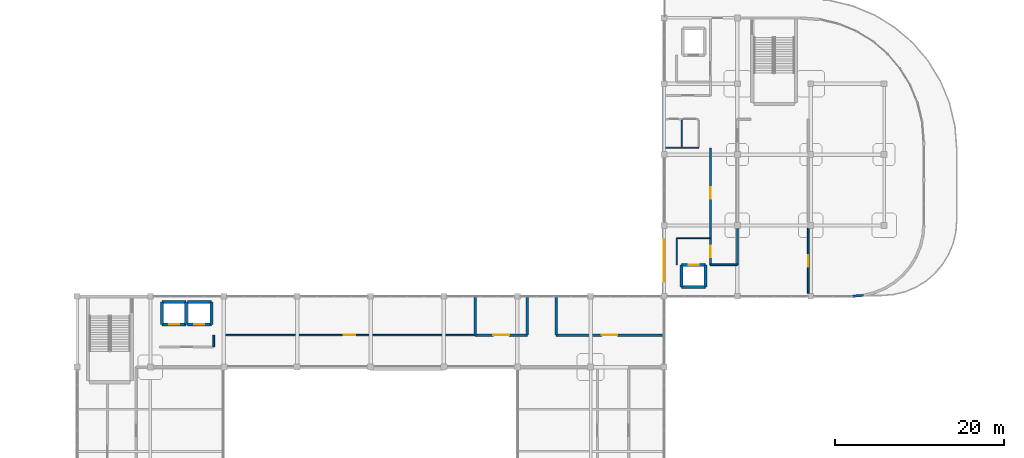
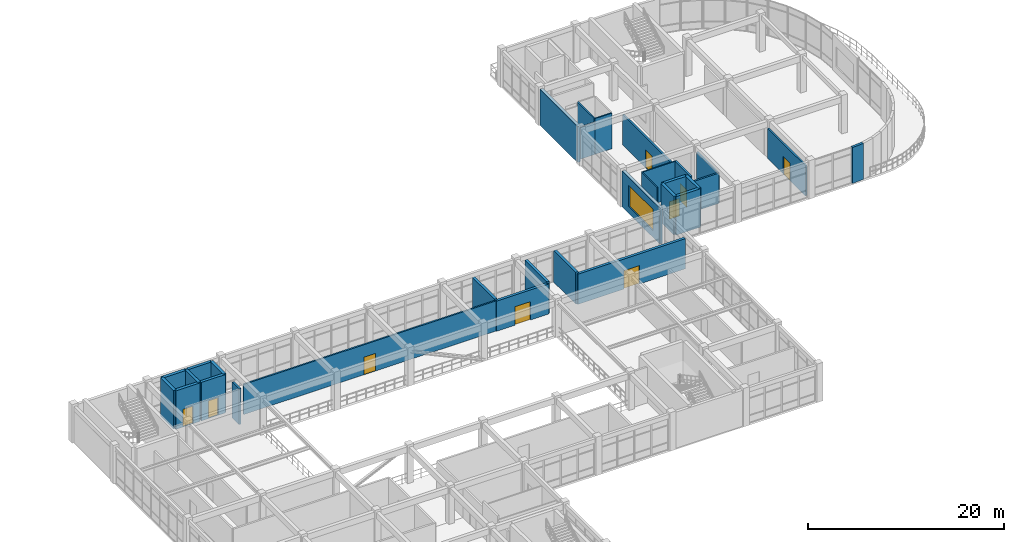
# One storey, part 63 of 76: 31 walls, 9 doors, 1 window, 10 openings.
"""IFC4 building model written with IfcOpenShell, lengths in metres."""

from ifc_helpers import new_model, si_unit, derived_unit, direction, frame, frame_2d, origin, place, context, subcontext, project, spatial, rectangle, extrude, material, layer, layer_set, type_object, element, fill, save


model = new_model("IFC4")

# Units and contexts
model_context = context("Model", 3, precision=1e-05, world=origin(), true_north=direction((0.0, 1.0)))
body_context = subcontext(model_context, "Body", "Model", "MODEL_VIEW")
ifc_project = project(units=[si_unit("LENGTHUNIT", "METRE"), si_unit("AREAUNIT", "SQUARE_METRE"), si_unit("VOLUMEUNIT", "CUBIC_METRE"), si_unit("PLANEANGLEUNIT", "RADIAN"), si_unit("MASSUNIT", "GRAM", prefix="KILO"), derived_unit("THERMALTRANSMITTANCEUNIT", [(si_unit("MASSUNIT", "GRAM", prefix="KILO"), 1), (si_unit("TIMEUNIT", "SECOND"), -3), (si_unit("THERMODYNAMICTEMPERATUREUNIT", "KELVIN"), -1)])], contexts=[model_context])

# Site, building, storey
site_placement = place(None, origin())
site = spatial("IfcSite", under=ifc_project, at=site_placement, CompositionType="ELEMENT")
building_placement = place(site_placement, origin())
building = spatial("IfcBuilding", under=site, at=building_placement, Name="Qinzheling Arcade Emporium", CompositionType="ELEMENT")
storey_placement = place(building_placement, frame((0.0, 0.0, 26.699951171875)))
storey = spatial("IfcBuildingStorey", under=building, at=storey_placement, Name="L06", CompositionType="ELEMENT", Elevation=26.699951171875)

# Wall
ifc_material_1 = material(Name="Double-stud acoustic gypsum board partition")
ifc_layer_1 = layer(ifc_material_1, 0.215087890625, Name="Double-stud acoustic gypsum board partition")
ifc_layer_set_1 = layer_set([ifc_layer_1], Name="Double-stud acoustic gypsum board partition")
wall_type_1 = type_object("IfcWallType", Name="Acoustic Corridor Partition Wall 215", PredefinedType="PARTITIONING", material=ifc_layer_set_1)
wall_1_placement = place(storey_placement, frame((51.0, 69.199951171875, 0.0), z_axis=(0.0, 0.0, 1.0), x_axis=(0.0, -1.0, 0.0)))
element("IfcWall", 1, at=wall_1_placement, inside=storey, type_object=wall_type_1, Name="Interior Wall WL-L06-INT-0799", PredefinedType="PARTITIONING", context=body_context, shape_type="SweptSolid", body=[
    extrude(rectangle(XDim=1.39990234375, YDim=0.215087890625, at=frame_2d((0.699951171875, 0.0))), origin(), (0.0, 0.0, 1.0), 4.4599609375),
])

# Wall, opening, door
wall_2_placement = place(storey_placement, frame((109.89990234375, 80.699951171875, 0.0), z_axis=(0.0, 0.0, 1.0), x_axis=(0.0, -1.0, 0.0)))
wall_2 = element("IfcWall", 2, at=wall_2_placement, inside=storey, type_object=wall_type_1, Name="Interior Wall WL-L06-INT-0801", PredefinedType="PARTITIONING", context=body_context, shape_type="SweptSolid", body=[
    extrude(rectangle(XDim=3.169921875, YDim=0.215087890625, at=frame_2d((1.5849609375, 0.0))), origin(), (0.0, 0.0, 1.0), 4.4599609375),
])
opening_1_placement = place(wall_2_placement, frame((0.909912109375, 0.0, 0.0)))
opening_1 = element("IfcOpeningElement", 3, at=opening_1_placement, cuts=wall_2, Name="Opening FD05", PredefinedType="OPENING", context=body_context, shape_type="SweptSolid", body=[
    extrude(rectangle(XDim=1.35009765625, YDim=2.199951171875, at=frame_2d((0.675048828125, 1.10009765625))), frame((0.0, 0.11767578125, 0.0), z_axis=(0.0, -1.0, 0.0), x_axis=(1.0, 0.0, 0.0)), (0.0, 0.0, 1.0), 0.235107421875),
])
ifc_material_2 = material(Name="Class B fire-rated stainless-clad door")
door_type_1 = type_object("IfcDoorType", Name="Kitchen Fire-Rated Service Door 1350x2200", OperationType="NOTDEFINED", PredefinedType="DOOR", material=ifc_material_2)
door_1_placement = place(opening_1_placement, origin())
door_1 = element("IfcDoor", 4, at=door_1_placement, inside=storey, type_object=door_type_1, Name="FD05 Interior Door DR-L06-INT-0231", OperationType="SINGLE_SWING_LEFT", OverallHeight=2.199951171875, OverallWidth=1.35009765625, PredefinedType="DOOR", context=body_context, shape_type="SweptSolid", body=[
    extrude(rectangle(XDim=1.35009765625, YDim=2.199951171875, at=frame_2d((0.675048828125, 1.10009765625))), frame((0.0, 0.02490234375, 0.0), z_axis=(0.0, -1.0, 0.0), x_axis=(1.0, 0.0, 0.0)), (0.0, 0.0, 1.0), 0.050048828125),
])
fill(opening_1, door_1)

# Walls
wall_3_placement = place(storey_placement, frame((113.10009765625, 81.840087890625, 0.0), z_axis=(0.0, 0.0, 1.0), x_axis=(0.0, -1.0, 0.0)))
element("IfcWall", 5, at=wall_3_placement, inside=storey, type_object=wall_type_1, Name="Interior Wall WL-L06-INT-0822", PredefinedType="PARTITIONING", context=body_context, shape_type="SweptSolid", body=[
    extrude(rectangle(XDim=4.31005859375, YDim=0.215087890625, at=frame_2d((2.155029296875, 0.0))), origin(), (0.0, 0.0, 1.0), 3.775146484375),
])
wall_4_placement = place(storey_placement, frame((113.10009765625, 77.530029296875, 0.0), z_axis=(0.0, 0.0, 1.0), x_axis=(-1.0, 0.0, 0.0)))
element("IfcWall", 6, at=wall_4_placement, inside=storey, type_object=wall_type_1, Name="Interior Wall WL-L06-INT-0823", PredefinedType="PARTITIONING", context=body_context, shape_type="SweptSolid", body=[
    extrude(rectangle(XDim=3.2001953125, YDim=0.215087890625, at=frame_2d((1.60009765625, 0.0))), origin(), (0.0, 0.0, 1.0), 3.775146484375),
])

# Wall, opening, door
wall_5_placement = place(storey_placement, frame((109.89990234375, 80.699951171875, 0.0), z_axis=(0.0, 0.0, 1.0), x_axis=(0.0, 1.0, 0.0)))
wall_5 = element("IfcWall", 7, at=wall_5_placement, inside=storey, type_object=wall_type_1, Name="Interior Wall WL-L06-INT-0824", PredefinedType="PARTITIONING", context=body_context, shape_type="SweptSolid", body=[
    extrude(rectangle(XDim=10.699951171875, YDim=0.215087890625, at=frame_2d((5.35009765625, 0.0))), origin(), (0.0, 0.0, 1.0), 3.775146484375),
])
opening_2_placement = place(wall_5_placement, frame((4.675048828125, 0.0, 0.0)))
opening_2 = element("IfcOpeningElement", 8, at=opening_2_placement, cuts=wall_5, Name="Opening FD05", PredefinedType="OPENING", context=body_context, shape_type="SweptSolid", body=[
    extrude(rectangle(XDim=1.35009765625, YDim=2.199951171875, at=frame_2d((0.675048828125, 1.10009765625))), frame((0.0, 0.11767578125, 0.0), z_axis=(0.0, -1.0, 0.0), x_axis=(1.0, 0.0, 0.0)), (0.0, 0.0, 1.0), 0.235107421875),
])
door_2_placement = place(opening_2_placement, origin())
door_2 = element("IfcDoor", 9, at=door_2_placement, inside=storey, type_object=door_type_1, Name="FD05 Interior Door DR-L06-INT-0251", OperationType="SINGLE_SWING_LEFT", OverallHeight=2.199951171875, OverallWidth=1.35009765625, PredefinedType="DOOR", context=body_context, shape_type="SweptSolid", body=[
    extrude(rectangle(XDim=1.35009765625, YDim=2.199951171875, at=frame_2d((0.675048828125, 1.10009765625))), frame((0.0, 0.02490234375, 0.0), z_axis=(0.0, -1.0, 0.0), x_axis=(1.0, 0.0, 0.0)), (0.0, 0.0, 1.0), 0.050048828125),
])
fill(opening_2, door_2)

# Wall
ifc_material_3 = material(Name="Glazed-transom steel-stud office partition", Category="steel")
ifc_layer_2 = layer(ifc_material_3, 0.135009765625, Name="Glazed-transom steel-stud office partition", Category="steel")
ifc_layer_set_2 = layer_set([ifc_layer_2], Name="Glazed-transom steel-stud office partition")
wall_type_2 = type_object("IfcWallType", Name="Buying Office Acoustic Partition Wall 135", PredefinedType="PARTITIONING", material=ifc_layer_set_2)
wall_6_placement = place(storey_placement, frame((105.89990234375, 77.530029296875, 0.0), z_axis=(0.0, 0.0, 1.0), x_axis=(0.0, 1.0, 0.0)))
element("IfcWall", 10, at=wall_6_placement, inside=storey, type_object=wall_type_2, Name="Interior Wall WL-L06-INT-0802", PredefinedType="PARTITIONING", context=body_context, shape_type="SweptSolid", body=[
    extrude(rectangle(XDim=3.169921875, YDim=0.135009765625, at=frame_2d((1.5849609375, 0.0))), origin(), (0.0, 0.0, 1.0), 4.4599609375),
])

# Wall, opening, window
ifc_material_4 = material(Name="Fluted granite ashlar on Concrete C40", Category="masonry")
ifc_layer_3 = layer(ifc_material_4, 0.35009765625, Name="Fluted granite ashlar on Concrete C40", Category="masonry")
ifc_layer_set_3 = layer_set([ifc_layer_3], Name="Fluted granite ashlar on Concrete C40")
wall_type_3 = type_object("IfcWallType", Name="Fluted Granite Logistics Wall 350", PredefinedType="STANDARD", material=ifc_layer_set_3)
wall_7_placement = place(storey_placement, frame((104.39990234375, 74.152099609375, 0.0), z_axis=(0.0, 0.0, 1.0), x_axis=(0.0, 1.0, 0.0)))
wall_7 = element("IfcWall", 11, at=wall_7_placement, inside=storey, type_object=wall_type_3, Name="Exterior Wall WL-L06-EW-0313", PredefinedType="STANDARD", context=body_context, shape_type="SweptSolid", body=[
    extrude(rectangle(XDim=7.69580078125, YDim=0.35009765625, at=frame_2d((3.847900390625, 0.0))), origin(), (0.0, 0.0, 1.0), 4.489990234375),
])
opening_3_placement = place(wall_7_placement, frame((1.347900390625, 0.0, 0.85009765625)))
opening_3 = element("IfcOpeningElement", 12, at=opening_3_placement, cuts=wall_7, Name="Opening WN03", PredefinedType="OPENING", context=body_context, shape_type="SweptSolid", body=[
    extrude(rectangle(XDim=5.0, YDim=2.64990234375, at=frame_2d((2.5, 1.324951171875))), frame((0.0, 0.18505859375, 0.0), z_axis=(0.0, -1.0, 0.0), x_axis=(1.0, 0.0, 0.0)), (0.0, 0.0, 1.0), 0.3701171875),
])
ifc_material_5 = material(Name="Thermally broken aluminium frame with solar-control double glazing", Category="aluminium")
window_type = type_object("IfcWindowType", Name="Chicago Tripartite Window 5000x2650", PartitioningType="TRIPLE_PANEL_VERTICAL", PredefinedType="WINDOW", material=ifc_material_5)
window_placement = place(opening_3_placement, origin())
window = element("IfcWindow", 13, at=window_placement, inside=storey, type_object=window_type, Name="WN03 Window WN-L06-0079", OverallHeight=2.64990234375, OverallWidth=5.0, PartitioningType="TRIPLE_PANEL_VERTICAL", PredefinedType="WINDOW", context=body_context, shape_type="SweptSolid", body=[
    extrude(rectangle(XDim=5.0, YDim=2.64990234375, at=frame_2d((2.5, 1.324951171875))), frame((0.0, 0.030029296875, 0.0), z_axis=(0.0, -1.0, 0.0), x_axis=(1.0, 0.0, 0.0)), (0.0, 0.0, 1.0), 0.06005859375),
])
fill(opening_3, window)

# Wall
wall_8_placement = place(storey_placement, frame((104.39990234375, 90.951904296875, 0.0), z_axis=(0.0, 0.0, 1.0), x_axis=(0.0, 1.0, 0.0)))
element("IfcWall", 14, at=wall_8_placement, inside=storey, type_object=wall_type_3, Name="Exterior Wall WL-L06-EW-0314", PredefinedType="STANDARD", context=body_context, shape_type="SweptSolid", body=[
    extrude(rectangle(XDim=7.696044921875, YDim=0.35009765625, at=frame_2d((3.84814453125, 0.0))), origin(), (0.0, 0.0, 1.0), 4.489990234375),
])

# Wall, opening, door
ifc_material_6 = material(Name="Ceramic-tiled cement-board partition")
ifc_layer_4 = layer(ifc_material_6, 0.18505859375, Name="Ceramic-tiled cement-board partition")
ifc_layer_set_4 = layer_set([ifc_layer_4], Name="Ceramic-tiled cement-board partition")
wall_type_4 = type_object("IfcWallType", Name="Food Hall Kitchen Partition Wall 185", PredefinedType="PARTITIONING", material=ifc_layer_set_4)
wall_9_placement = place(storey_placement, frame((52.199951171875, 69.199951171875, 0.0), z_axis=(0.0, 0.0, 1.0), x_axis=(1.0, 0.0, 0.0)))
wall_9 = element("IfcWall", 15, at=wall_9_placement, inside=storey, type_object=wall_type_4, Name="Interior Wall WL-L06-INT-0854", PredefinedType="PARTITIONING", context=body_context, shape_type="SweptSolid", body=[
    extrude(rectangle(XDim=29.800048828125, YDim=0.18505859375, at=frame_2d((14.89990234375, 0.0))), origin(), (0.0, 0.0, 1.0), 3.760009765625),
])
opening_4_placement = place(wall_9_placement, frame((14.22509765625, 0.0, 0.0)))
opening_4 = element("IfcOpeningElement", 16, at=opening_4_placement, cuts=wall_9, Name="Opening FD05", PredefinedType="OPENING", context=body_context, shape_type="SweptSolid", body=[
    extrude(rectangle(XDim=1.35009765625, YDim=2.199951171875, at=frame_2d((0.675048828125, 1.10009765625))), frame((0.0, 0.1025390625, 0.0), z_axis=(0.0, -1.0, 0.0), x_axis=(1.0, 0.0, 0.0)), (0.0, 0.0, 1.0), 0.205078125),
])
door_3_placement = place(opening_4_placement, origin())
door_3 = element("IfcDoor", 17, at=door_3_placement, inside=storey, type_object=door_type_1, Name="FD05 Interior Door DR-L06-INT-0246", OperationType="SINGLE_SWING_RIGHT", OverallHeight=2.199951171875, OverallWidth=1.35009765625, PredefinedType="DOOR", context=body_context, shape_type="SweptSolid", body=[
    extrude(rectangle(XDim=1.35009765625, YDim=2.199951171875, at=frame_2d((0.675048828125, 1.10009765625))), frame((0.0, 0.02490234375, 0.0), z_axis=(0.0, -1.0, 0.0), x_axis=(1.0, 0.0, 0.0)), (0.0, 0.0, 1.0), 0.050048828125),
])
fill(opening_4, door_3)

wall_10_placement = place(storey_placement, frame((121.5, 81.840087890625, 0.0), z_axis=(0.0, 0.0, 1.0), x_axis=(0.0, -1.0, 0.0)))
wall_10 = element("IfcWall", 18, at=wall_10_placement, inside=storey, type_object=wall_type_4, Name="Interior Wall WL-L06-INT-0877", PredefinedType="PARTITIONING", context=body_context, shape_type="SweptSolid", body=[
    extrude(rectangle(XDim=7.68017578125, YDim=0.18505859375, at=frame_2d((3.840087890625, 0.0))), origin(), (0.0, 0.0, 1.0), 3.775146484375),
])
opening_5_placement = place(wall_10_placement, frame((3.1650390625, 0.0, 0.0)))
opening_5 = element("IfcOpeningElement", 19, at=opening_5_placement, cuts=wall_10, Name="Opening FD05", PredefinedType="OPENING", context=body_context, shape_type="SweptSolid", body=[
    extrude(rectangle(XDim=1.35009765625, YDim=2.199951171875, at=frame_2d((0.675048828125, 1.10009765625))), frame((0.0, 0.1025390625, 0.0), z_axis=(0.0, -1.0, 0.0), x_axis=(1.0, 0.0, 0.0)), (0.0, 0.0, 1.0), 0.205078125),
])
door_4_placement = place(opening_5_placement, origin())
door_4 = element("IfcDoor", 20, at=door_4_placement, inside=storey, type_object=door_type_1, Name="FD05 Interior Door DR-L06-INT-0252", OperationType="SINGLE_SWING_RIGHT", OverallHeight=2.199951171875, OverallWidth=1.35009765625, PredefinedType="DOOR", context=body_context, shape_type="SweptSolid", body=[
    extrude(rectangle(XDim=1.35009765625, YDim=2.199951171875, at=frame_2d((0.675048828125, 1.10009765625))), frame((0.0, 0.02490234375, 0.0), z_axis=(0.0, -1.0, 0.0), x_axis=(1.0, 0.0, 0.0)), (0.0, 0.0, 1.0), 0.050048828125),
])
fill(opening_5, door_4)

# Walls
ifc_material_7 = material(Name="Lightweight gypsum studio partition")
ifc_layer_5 = layer(ifc_material_7, 0.125, Name="Lightweight gypsum studio partition")
ifc_layer_set_5 = layer_set([ifc_layer_5], Name="Lightweight gypsum studio partition")
wall_type_5 = type_object("IfcWallType", Name="Merchandising Studio Partition Wall 125", PredefinedType="PARTITIONING", material=ifc_layer_set_5)
wall_11_placement = place(storey_placement, frame((105.89990234375, 80.699951171875, 0.0), z_axis=(0.0, 0.0, 1.0), x_axis=(1.0, 0.0, 0.0)))
element("IfcWall", 21, at=wall_11_placement, inside=storey, type_object=wall_type_5, Name="Interior Wall WL-L06-INT-0803", PredefinedType="PARTITIONING", context=body_context, shape_type="SweptSolid", body=[
    extrude(rectangle(XDim=4.0, YDim=0.125, at=frame_2d((2.0, 0.0))), origin(), (0.0, 0.0, 1.0), 4.4599609375),
])
ifc_material_8 = material(Name="Buff glazed terracotta insulated wall", Category="masonry")
ifc_layer_6 = layer(ifc_material_8, 0.2900390625, Name="Buff glazed terracotta insulated wall", Category="masonry")
ifc_layer_set_6 = layer_set([ifc_layer_6], Name="Buff glazed terracotta insulated wall")
wall_type_6 = type_object("IfcWallType", Name="Office Bar Terracotta Wall 290", PredefinedType="STANDARD", material=ifc_layer_set_6)
wall_12_placement = place(storey_placement, frame((128.030029296875, 73.905029296875, 0.0), z_axis=(0.0, 0.0, 1.0), x_axis=(-0.996899659698, -0.078683343185, 0.0)))
element("IfcWall", 22, at=wall_12_placement, inside=storey, type_object=wall_type_6, Name="Exterior Wall WL-L06-EW-0328", PredefinedType="STANDARD", context=body_context, shape_type="SweptSolid", body=[
    extrude(rectangle(XDim=1.334228515625, YDim=0.2900390625, at=frame_2d((0.6669921875, 0.0))), origin(), (0.0, 0.0, 1.0), 4.489990234375),
])
ifc_material_9 = material(Name="Moisture-resistant shaftliner gypsum board")
ifc_layer_7 = layer(ifc_material_9, 0.155029296875, Name="Moisture-resistant shaftliner gypsum board")
ifc_layer_set_7 = layer_set([ifc_layer_7], Name="Moisture-resistant shaftliner gypsum board")
wall_type_7 = type_object("IfcWallType", Name="Plumbing and Service Riser Wall 155", PredefinedType="MOVABLE", material=ifc_layer_set_7)
wall_13_placement = place(storey_placement, frame((106.5, 94.800048828125, 0.0), z_axis=(0.0, 0.0, 1.0), x_axis=(0.0, -1.0, 0.0)))
element("IfcWall", 23, at=wall_13_placement, inside=storey, type_object=wall_type_7, Name="Interior Wall WL-L06-INT-0814", PredefinedType="MOVABLE", context=body_context, shape_type="SweptSolid", body=[
    extrude(rectangle(XDim=3.400146484375, YDim=0.155029296875, at=frame_2d((1.7001953125, 0.0))), origin(), (0.0, 0.0, 1.0), 4.4599609375),
])
ifc_material_10 = material(Name="Concrete C40", Category="concrete")
ifc_layer_8 = layer(ifc_material_10, 0.35009765625, Name="Concrete C40", Category="concrete")
ifc_layer_set_8 = layer_set([ifc_layer_8], Name="Concrete C40")
wall_type_8 = type_object("IfcWallType", Name="RC Lift Shaft Shear Wall 350 C40", PredefinedType="SHEAR", material=ifc_layer_set_8)
wall_14_placement = place(storey_placement, frame((44.875, 73.125, 0.0), z_axis=(0.0, 0.0, 1.0), x_axis=(1.0, 0.0, 0.0)))
element("IfcWall", 24, at=wall_14_placement, inside=storey, type_object=wall_type_8, Name="Lift Shaft Wall WL-L06-LFT-LP03-N", PredefinedType="SHEAR", context=body_context, shape_type="SweptSolid", body=[
    extrude(rectangle(XDim=2.85009765625, YDim=0.35009765625, at=frame_2d((1.425048828125, 0.0))), origin(), (0.0, 0.0, 1.0), 4.800048828125),
])

# Wall, opening, door
wall_15_placement = place(storey_placement, frame((47.72509765625, 70.47509765625, 0.0), z_axis=(0.0, 0.0, 1.0), x_axis=(-1.0, 0.0, 0.0)))
wall_15 = element("IfcWall", 25, at=wall_15_placement, inside=storey, type_object=wall_type_8, Name="Lift Shaft Wall WL-L06-LFT-LP03-S", PredefinedType="SHEAR", context=body_context, shape_type="SweptSolid", body=[
    extrude(rectangle(XDim=2.85009765625, YDim=0.35009765625, at=frame_2d((1.425048828125, 0.0))), origin(), (0.0, 0.0, 1.0), 4.800048828125),
])
opening_6_placement = place(wall_15_placement, frame((0.824951171875, 0.0, 0.0)))
opening_6 = element("IfcOpeningElement", 26, at=opening_6_placement, cuts=wall_15, Name="Opening LD02", PredefinedType="OPENING", context=body_context, shape_type="SweptSolid", body=[
    extrude(rectangle(XDim=1.199951171875, YDim=2.199951171875, at=frame_2d((0.60009765625, 1.10009765625))), frame((0.0, 0.18505859375, 0.0), z_axis=(0.0, -1.0, 0.0), x_axis=(1.0, 0.0, 0.0)), (0.0, 0.0, 1.0), 0.3701171875),
])
ifc_material_11 = material(Name="Brushed bronze stainless sliding lift door")
door_type_2 = type_object("IfcDoorType", Name="Passenger Lift Sliding Landing Door 1200x2200", OperationType="DOUBLE_DOOR_SLIDING", PredefinedType="DOOR", material=ifc_material_11)
door_5_placement = place(opening_6_placement, origin())
door_5 = element("IfcDoor", 27, at=door_5_placement, inside=storey, type_object=door_type_2, Name="LD02 Lift Landing Door LP03 L06", OperationType="DOUBLE_DOOR_SLIDING", OverallHeight=2.199951171875, OverallWidth=1.199951171875, PredefinedType="DOOR", context=body_context, shape_type="SweptSolid", body=[
    extrude(rectangle(XDim=1.199951171875, YDim=2.199951171875, at=frame_2d((0.60009765625, 1.10009765625))), frame((0.0, 0.02490234375, 0.0), z_axis=(0.0, -1.0, 0.0), x_axis=(1.0, 0.0, 0.0)), (0.0, 0.0, 1.0), 0.050048828125),
])
fill(opening_6, door_5)

# Walls
for number, where, z_axis, x_axis, name in (
    (28, (44.875, 70.47509765625, 0.0), (0.0, 0.0, 1.0), (0.0, 1.0, 0.0), "Lift Shaft Wall WL-L06-LFT-LP03-W"),
    (29, (47.72509765625, 73.125, 0.0), (0.0, 0.0, 1.0), (0.0, -1.0, 0.0), "Lift Shaft Wall WL-L06-LFT-LP03-E"),
):
    element("IfcWall", number, at=place(storey_placement, frame(where, z_axis=z_axis, x_axis=x_axis)), inside=storey, type_object=wall_type_8, Name=name, PredefinedType="SHEAR", context=body_context, shape_type="SweptSolid", body=[
        extrude(rectangle(XDim=2.64990234375, YDim=0.35009765625, at=frame_2d((1.324951171875, 0.0))), origin(), (0.0, 0.0, 1.0), 4.800048828125),
    ])
wall_16_placement = place(storey_placement, frame((47.875, 73.125, 0.0), z_axis=(0.0, 0.0, 1.0), x_axis=(1.0, 0.0, 0.0)))
element("IfcWall", 30, at=wall_16_placement, inside=storey, type_object=wall_type_8, Name="Lift Shaft Wall WL-L06-LFT-LP04-N", PredefinedType="SHEAR", context=body_context, shape_type="SweptSolid", body=[
    extrude(rectangle(XDim=2.85009765625, YDim=0.35009765625, at=frame_2d((1.425048828125, 0.0))), origin(), (0.0, 0.0, 1.0), 4.800048828125),
])

# Wall, opening, door
wall_17_placement = place(storey_placement, frame((50.72509765625, 70.47509765625, 0.0), z_axis=(0.0, 0.0, 1.0), x_axis=(-1.0, 0.0, 0.0)))
wall_17 = element("IfcWall", 31, at=wall_17_placement, inside=storey, type_object=wall_type_8, Name="Lift Shaft Wall WL-L06-LFT-LP04-S", PredefinedType="SHEAR", context=body_context, shape_type="SweptSolid", body=[
    extrude(rectangle(XDim=2.85009765625, YDim=0.35009765625, at=frame_2d((1.425048828125, 0.0))), origin(), (0.0, 0.0, 1.0), 4.800048828125),
])
opening_7_placement = place(wall_17_placement, frame((0.824951171875, 0.0, 0.0)))
opening_7 = element("IfcOpeningElement", 32, at=opening_7_placement, cuts=wall_17, Name="Opening LD02", PredefinedType="OPENING", context=body_context, shape_type="SweptSolid", body=[
    extrude(rectangle(XDim=1.199951171875, YDim=2.199951171875, at=frame_2d((0.60009765625, 1.10009765625))), frame((0.0, 0.18505859375, 0.0), z_axis=(0.0, -1.0, 0.0), x_axis=(1.0, 0.0, 0.0)), (0.0, 0.0, 1.0), 0.3701171875),
])
door_6_placement = place(opening_7_placement, origin())
door_6 = element("IfcDoor", 33, at=door_6_placement, inside=storey, type_object=door_type_2, Name="LD02 Lift Landing Door LP04 L06", OperationType="DOUBLE_DOOR_SLIDING", OverallHeight=2.199951171875, OverallWidth=1.199951171875, PredefinedType="DOOR", context=body_context, shape_type="SweptSolid", body=[
    extrude(rectangle(XDim=1.199951171875, YDim=2.199951171875, at=frame_2d((0.60009765625, 1.10009765625))), frame((0.0, 0.02490234375, 0.0), z_axis=(0.0, -1.0, 0.0), x_axis=(1.0, 0.0, 0.0)), (0.0, 0.0, 1.0), 0.050048828125),
])
fill(opening_7, door_6)

# Wall
wall_18_placement = place(storey_placement, frame((50.72509765625, 73.125, 0.0), z_axis=(0.0, 0.0, 1.0), x_axis=(0.0, -1.0, 0.0)))
element("IfcWall", 34, at=wall_18_placement, inside=storey, type_object=wall_type_8, Name="Lift Shaft Wall WL-L06-LFT-LP04-E", PredefinedType="SHEAR", context=body_context, shape_type="SweptSolid", body=[
    extrude(rectangle(XDim=2.64990234375, YDim=0.35009765625, at=frame_2d((1.324951171875, 0.0))), origin(), (0.0, 0.0, 1.0), 4.800048828125),
])

# Wall, opening, door
wall_19_placement = place(storey_placement, frame((106.47509765625, 77.52490234375, 0.0), z_axis=(0.0, 0.0, 1.0), x_axis=(1.0, 0.0, 0.0)))
wall_19 = element("IfcWall", 35, at=wall_19_placement, inside=storey, type_object=wall_type_8, Name="Lift Shaft Wall WL-L06-LFT-LP06-N", PredefinedType="SHEAR", context=body_context, shape_type="SweptSolid", body=[
    extrude(rectangle(XDim=2.849853515625, YDim=0.35009765625, at=frame_2d((1.4248046875, 0.0))), origin(), (0.0, 0.0, 1.0), 4.800048828125),
])
opening_8_placement = place(wall_19_placement, frame((0.824951171875, 0.0, 0.0)))
opening_8 = element("IfcOpeningElement", 36, at=opening_8_placement, cuts=wall_19, Name="Opening LD02", PredefinedType="OPENING", context=body_context, shape_type="SweptSolid", body=[
    extrude(rectangle(XDim=1.199951171875, YDim=2.199951171875, at=frame_2d((0.60009765625, 1.10009765625))), frame((0.0, 0.18505859375, 0.0), z_axis=(0.0, -1.0, 0.0), x_axis=(1.0, 0.0, 0.0)), (0.0, 0.0, 1.0), 0.3701171875),
])
door_7_placement = place(opening_8_placement, origin())
door_7 = element("IfcDoor", 37, at=door_7_placement, inside=storey, type_object=door_type_2, Name="LD02 Lift Landing Door LP06 L06", OperationType="DOUBLE_DOOR_SLIDING", OverallHeight=2.199951171875, OverallWidth=1.199951171875, PredefinedType="DOOR", context=body_context, shape_type="SweptSolid", body=[
    extrude(rectangle(XDim=1.199951171875, YDim=2.199951171875, at=frame_2d((0.60009765625, 1.10009765625))), frame((0.0, 0.02490234375, 0.0), z_axis=(0.0, -1.0, 0.0), x_axis=(1.0, 0.0, 0.0)), (0.0, 0.0, 1.0), 0.050048828125),
])
fill(opening_8, door_7)

# Walls
wall_20_placement = place(storey_placement, frame((109.324951171875, 74.875, 0.0), z_axis=(0.0, 0.0, 1.0), x_axis=(-1.0, 0.0, 0.0)))
element("IfcWall", 38, at=wall_20_placement, inside=storey, type_object=wall_type_8, Name="Lift Shaft Wall WL-L06-LFT-LP06-S", PredefinedType="SHEAR", context=body_context, shape_type="SweptSolid", body=[
    extrude(rectangle(XDim=2.849853515625, YDim=0.35009765625, at=frame_2d((1.4248046875, 0.0))), origin(), (0.0, 0.0, 1.0), 4.800048828125),
])
for number, where, z_axis, x_axis, name in (
    (39, (106.47509765625, 74.875, 0.0), (0.0, 0.0, 1.0), (0.0, 1.0, 0.0), "Lift Shaft Wall WL-L06-LFT-LP06-W"),
    (40, (109.324951171875, 77.52490234375, 0.0), (0.0, 0.0, 1.0), (0.0, -1.0, 0.0), "Lift Shaft Wall WL-L06-LFT-LP06-E"),
):
    element("IfcWall", number, at=place(storey_placement, frame(where, z_axis=z_axis, x_axis=x_axis)), inside=storey, type_object=wall_type_8, Name=name, PredefinedType="SHEAR", context=body_context, shape_type="SweptSolid", body=[
        extrude(rectangle(XDim=2.64990234375, YDim=0.35009765625, at=frame_2d((1.324951171875, 0.0))), origin(), (0.0, 0.0, 1.0), 4.800048828125),
    ])
ifc_material_12 = material(Name="Autoclaved aerated concrete masonry with fire plaster", Category="masonry")
ifc_layer_9 = layer(ifc_material_12, 0.31005859375, Name="Autoclaved aerated concrete masonry with fire plaster", Category="masonry")
ifc_layer_set_9 = layer_set([ifc_layer_9], Name="Autoclaved aerated concrete masonry with fire plaster")
wall_type_9 = type_object("IfcWallType", Name="Retail Compartment Fire Wall 310 C40", PredefinedType="STANDARD", material=ifc_layer_set_9)
wall_21_placement = place(storey_placement, frame((91.60009765625, 73.699951171875, 0.0), z_axis=(0.0, 0.0, 1.0), x_axis=(0.0, -1.0, 0.0)))
element("IfcWall", 41, at=wall_21_placement, inside=storey, type_object=wall_type_9, Name="Interior Wall WL-L06-INT-0855", PredefinedType="STANDARD", context=body_context, shape_type="SweptSolid", body=[
    extrude(rectangle(XDim=4.5, YDim=0.31005859375, at=frame_2d((2.25, 0.0))), origin(), (0.0, 0.0, 1.0), 3.9599609375),
])

# Wall, opening, door
wall_22_placement = place(storey_placement, frame((91.60009765625, 69.199951171875, 0.0), z_axis=(0.0, 0.0, 1.0), x_axis=(1.0, 0.0, 0.0)))
wall_22 = element("IfcWall", 42, at=wall_22_placement, inside=storey, type_object=wall_type_9, Name="Interior Wall WL-L06-INT-0856", PredefinedType="STANDARD", context=body_context, shape_type="SweptSolid", body=[
    extrude(rectangle(XDim=12.699951171875, YDim=0.31005859375, at=frame_2d((6.35009765625, 0.0))), origin(), (0.0, 0.0, 1.0), 3.760009765625),
])
opening_9_placement = place(wall_22_placement, frame((5.425048828125, 0.0, 0.0)))
opening_9 = element("IfcOpeningElement", 43, at=opening_9_placement, cuts=wall_22, Name="Opening FD03", PredefinedType="OPENING", context=body_context, shape_type="SweptSolid", body=[
    extrude(rectangle(XDim=1.85009765625, YDim=2.300048828125, at=frame_2d((0.925048828125, 1.14990234375))), frame((0.0, 0.1650390625, 0.0), z_axis=(0.0, -1.0, 0.0), x_axis=(1.0, 0.0, 0.0)), (0.0, 0.0, 1.0), 0.330078125),
])
ifc_material_13 = material(Name="Class A fire-rated steel double door", Category="steel")
door_type_3 = type_object("IfcDoorType", Name="Stockroom Double Fire Door 1850x2300", OperationType="DOUBLE_DOOR_SINGLE_SWING", PredefinedType="DOOR", material=ifc_material_13)
door_8_placement = place(opening_9_placement, origin())
door_8 = element("IfcDoor", 44, at=door_8_placement, inside=storey, type_object=door_type_3, Name="FD03 Interior Door DR-L06-INT-0247", OperationType="DOUBLE_DOOR_SINGLE_SWING", OverallHeight=2.300048828125, OverallWidth=1.85009765625, PredefinedType="DOOR", context=body_context, shape_type="SweptSolid", body=[
    extrude(rectangle(XDim=1.85009765625, YDim=2.300048828125, at=frame_2d((0.925048828125, 1.14990234375))), frame((0.0, 0.02490234375, 0.0), z_axis=(0.0, -1.0, 0.0), x_axis=(1.0, 0.0, 0.0)), (0.0, 0.0, 1.0), 0.050048828125),
])
fill(opening_9, door_8)

wall_23_placement = place(storey_placement, frame((82.0, 69.199951171875, 0.0), z_axis=(0.0, 0.0, 1.0), x_axis=(1.0, 0.0, 0.0)))
wall_23 = element("IfcWall", 45, at=wall_23_placement, inside=storey, type_object=wall_type_9, Name="Interior Wall WL-L06-INT-0857", PredefinedType="STANDARD", context=body_context, shape_type="SweptSolid", body=[
    extrude(rectangle(XDim=6.199951171875, YDim=0.31005859375, at=frame_2d((3.10009765625, 0.0))), origin(), (0.0, 0.0, 1.0), 3.760009765625),
])
opening_10_placement = place(wall_23_placement, frame((2.175048828125, 0.0, 0.0)))
opening_10 = element("IfcOpeningElement", 46, at=opening_10_placement, cuts=wall_23, Name="Opening FD03", PredefinedType="OPENING", context=body_context, shape_type="SweptSolid", body=[
    extrude(rectangle(XDim=1.85009765625, YDim=2.300048828125, at=frame_2d((0.925048828125, 1.14990234375))), frame((0.0, 0.1650390625, 0.0), z_axis=(0.0, -1.0, 0.0), x_axis=(1.0, 0.0, 0.0)), (0.0, 0.0, 1.0), 0.330078125),
])
door_9_placement = place(opening_10_placement, origin())
door_9 = element("IfcDoor", 47, at=door_9_placement, inside=storey, type_object=door_type_3, Name="FD03 Interior Door DR-L06-INT-0248", OperationType="DOUBLE_DOOR_SINGLE_SWING", OverallHeight=2.300048828125, OverallWidth=1.85009765625, PredefinedType="DOOR", context=body_context, shape_type="SweptSolid", body=[
    extrude(rectangle(XDim=1.85009765625, YDim=2.300048828125, at=frame_2d((0.925048828125, 1.14990234375))), frame((0.0, 0.02490234375, 0.0), z_axis=(0.0, -1.0, 0.0), x_axis=(1.0, 0.0, 0.0)), (0.0, 0.0, 1.0), 0.050048828125),
])
fill(opening_10, door_9)

# Walls
for number, where, z_axis, x_axis, name in (
    (48, (88.199951171875, 69.199951171875, 0.0), (0.0, 0.0, 1.0), (0.0, 1.0, 0.0), "Interior Wall WL-L06-INT-0858"),
    (49, (82.0, 73.699951171875, 0.0), (0.0, 0.0, 1.0), (0.0, -1.0, 0.0), "Interior Wall WL-L06-INT-0874"),
):
    element("IfcWall", number, at=place(storey_placement, frame(where, z_axis=z_axis, x_axis=x_axis)), inside=storey, type_object=wall_type_9, Name=name, PredefinedType="STANDARD", context=body_context, shape_type="SweptSolid", body=[
        extrude(rectangle(XDim=4.5, YDim=0.31005859375, at=frame_2d((2.25, 0.0))), origin(), (0.0, 0.0, 1.0), 3.9599609375),
    ])
ifc_material_14 = material(Name="Moisture-resistant cement-board WC partition")
ifc_layer_10 = layer(ifc_material_14, 0.14501953125, Name="Moisture-resistant cement-board WC partition")
ifc_layer_set_10 = layer_set([ifc_layer_10], Name="Moisture-resistant cement-board WC partition")
wall_type_10 = type_object("IfcWallType", Name="Washroom Moisture Partition Wall 145", PredefinedType="PARTITIONING", material=ifc_layer_set_10)
wall_24_placement = place(storey_placement, frame((106.5, 91.39990234375, 0.0), z_axis=(0.0, 0.0, 1.0), x_axis=(-1.0, 0.0, 0.0)))
element("IfcWall", 50, at=wall_24_placement, inside=storey, type_object=wall_type_10, Name="Interior Wall WL-L06-INT-0816", PredefinedType="PARTITIONING", context=body_context, shape_type="SweptSolid", body=[
    extrude(rectangle(XDim=1.919921875, YDim=0.14501953125, at=frame_2d((0.9599609375, 0.0))), origin(), (0.0, 0.0, 1.0), 3.97509765625),
])
wall_25_placement = place(storey_placement, frame((108.5, 91.39990234375, 0.0), z_axis=(0.0, 0.0, 1.0), x_axis=(-1.0, 0.0, 0.0)))
element("IfcWall", 51, at=wall_25_placement, inside=storey, type_object=wall_type_10, Name="Interior Wall WL-L06-INT-0818", PredefinedType="PARTITIONING", context=body_context, shape_type="SweptSolid", body=[
    extrude(rectangle(XDim=2.0, YDim=0.14501953125, at=frame_2d((1.0, 0.0))), origin(), (0.0, 0.0, 1.0), 4.4599609375),
])

save(model, "model.ifc")
